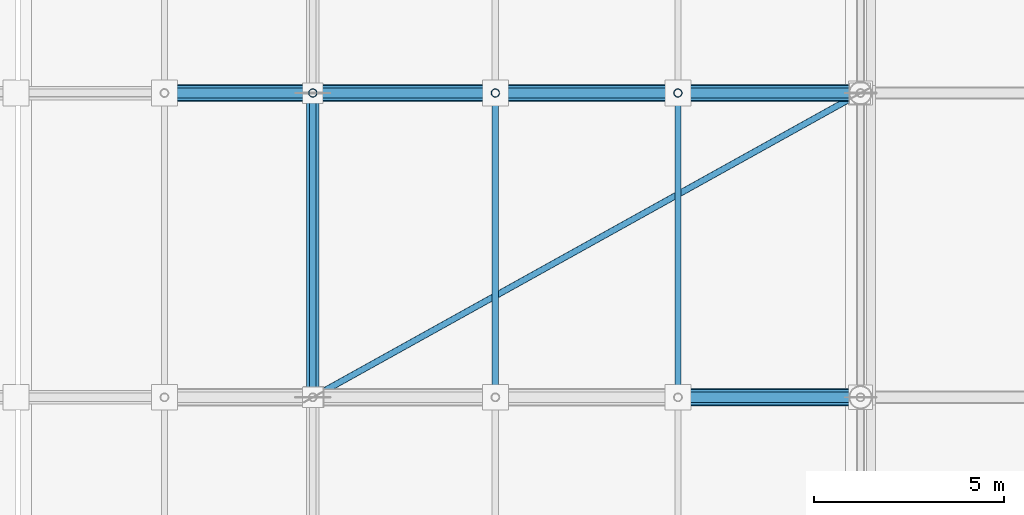
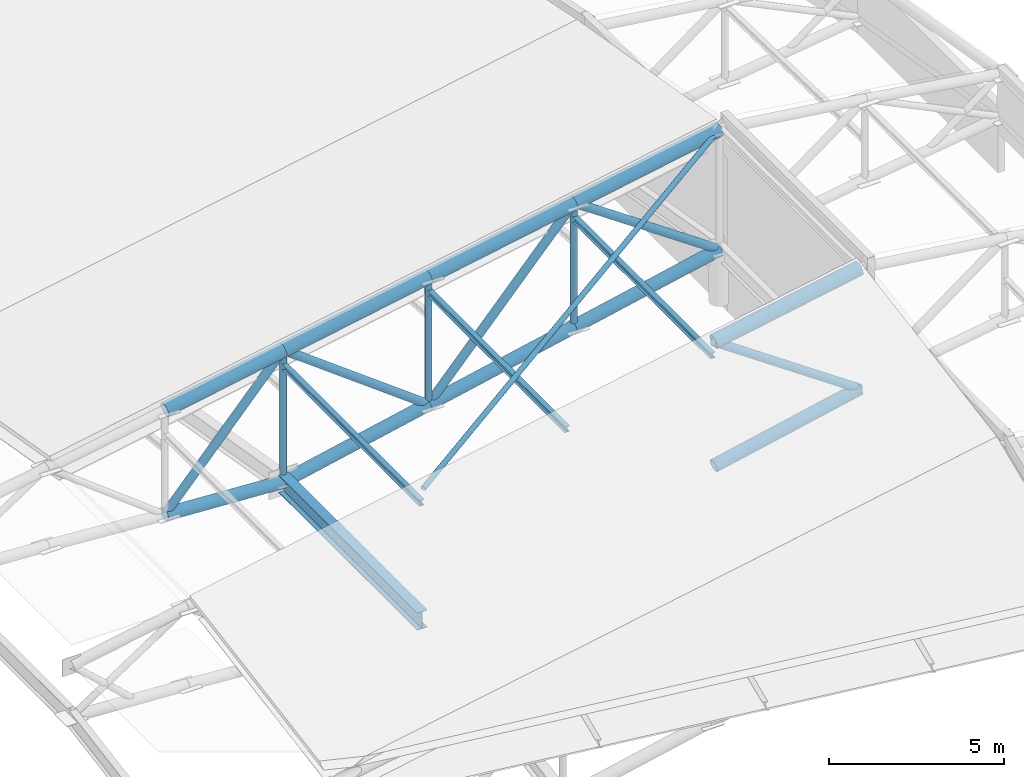
# One storey, part 74 of 146: 22 members, 1 beam.
"""IFC4 building model written with IfcOpenShell, lengths in metres."""

from ifc_helpers import new_model, si_unit, direction, frame, origin, origin_2d, place, context, subcontext, project, spatial, hollow_circle, i_section, extrude, material, material_profile, profile_set, type_object, element, save


model = new_model("IFC4")

# Units and contexts
model_context = context("Model", 3, precision=1e-05, world=origin(), true_north=direction((0.0, 1.0)))
body_context = subcontext(model_context, "Body", "Model", "MODEL_VIEW")
ifc_project = project(units=[si_unit("LENGTHUNIT", "METRE"), si_unit("AREAUNIT", "SQUARE_METRE"), si_unit("VOLUMEUNIT", "CUBIC_METRE"), si_unit("PLANEANGLEUNIT", "RADIAN"), si_unit("MASSUNIT", "GRAM", prefix="KILO")], contexts=[model_context])

# Site, building, storey
site_placement = place(None, origin())
site = spatial("IfcSite", under=ifc_project, at=site_placement, CompositionType="ELEMENT")
building_placement = place(site_placement, origin())
building = spatial("IfcBuilding", under=site, at=building_placement, Name="Candeia Ridge Stadium", CompositionType="ELEMENT")
storey_placement = place(building_placement, frame((0.0, 0.0, 31.800048828125)))
storey = spatial("IfcBuildingStorey", under=building, at=storey_placement, Name="RF", CompositionType="ELEMENT", Elevation=31.800048828125)

# Beam
ifc_material = material(Name="Steel ASTM A572 Grade 50", Category="steel")
ifc_material_profile_1 = material_profile(ifc_material, i_section(OverallWidth=0.324951171875, OverallDepth=0.615966796875, WebThickness=0.013916015625, FlangeThickness=0.021484375, FilletRadius=0.014892578125, at=origin_2d()), Name="W610x174", Category="steel")
ifc_profile_set_1 = profile_set([ifc_material_profile_1], Name="Steel ASTM A572 Grade 50")
beam_type = type_object("IfcBeamType", Name="Roof Compression Ring Beam W610x174", PredefinedType="BEAM", material=ifc_profile_set_1)
beam_placement = place(storey_placement, frame((178.60009765625, 79.0400390625, -1.278564453125), z_axis=(0.0, 1.0, 0.0), x_axis=(-1.0, 0.0, 0.0)))
element("IfcBeam", 1, at=beam_placement, inside=storey, type_object=beam_type, Name="Roof compression ring beam bay 31", PredefinedType="BEAM", context=body_context, shape_type="SweptSolid", body=[
    extrude(i_section(OverallWidth=0.324951171875, OverallDepth=0.615966796875, WebThickness=0.013916015625, FlangeThickness=0.021484375, FilletRadius=0.014892578125, at=origin_2d()), origin(), (0.0, 0.0, 1.0), 7.919921875),
])

# Members
ifc_material_profile_2 = material_profile(ifc_material, hollow_circle(Radius=0.084228515625, WallThickness=0.008056640625, at=origin_2d()), Name="CHS168x8", Category="steel")
ifc_profile_set_2 = profile_set([ifc_material_profile_2], Name="Steel ASTM A572 Grade 50")
member_type_1 = type_object("IfcMemberType", Name="Roof Plan Wind Brace CHS168x8", PredefinedType="BRACE", material=ifc_profile_set_2)
member_1_placement = place(storey_placement, frame((178.6171875, 79.009521484375, 3.32470703125), z_axis=(0.862941558777, 0.479420124682, 0.159650274619), x_axis=(-0.485649238044, 0.874153772278, 0.0)))
element("IfcMember", 2, at=member_1_placement, inside=storey, type_object=member_type_1, Name="Roof plane wind brace bay 31", PredefinedType="BRACE", context=body_context, shape_type="SweptSolid", body=[
    extrude(hollow_circle(Radius=0.084228515625, WallThickness=0.008056640625, at=origin_2d()), origin(), (0.0, 0.0, 1.0), 16.647216796875),
])
ifc_material_profile_3 = material_profile(ifc_material, i_section(OverallWidth=0.1650390625, OverallDepth=0.200927734375, WebThickness=0.006103515625, FlangeThickness=0.01025390625, FilletRadius=0.010009765625, at=origin_2d()), Name="W200x35.9", Category="steel")
ifc_profile_set_3 = profile_set([ifc_material_profile_3], Name="Steel ASTM A572 Grade 50")
member_type_2 = type_object("IfcMemberType", Name="Roof Purlin W200x35.9", PredefinedType="PURLIN", material=ifc_profile_set_3)
for number, where, z_axis, x_axis, name in (
    (3, (178.60009765625, 79.050048828125, 2.801513671875), (0.0, 1.0, 0.0), (-1.0, 0.0, 0.0), "Saddle roof steel purlin bay 31-2"),
    (4, (183.39990234375, 79.050048828125, 3.689453125), (0.0, 1.0, 0.0), (-1.0, 0.0, 0.0), "Saddle roof steel purlin bay 31-3"),
    (5, (188.199951171875, 79.050048828125, 4.57763671875), (0.0, 1.0, 0.0), (-1.0, 0.0, 0.0), "Saddle roof steel purlin bay 31-4"),
):
    element("IfcMember", number, at=place(storey_placement, frame(where, z_axis=z_axis, x_axis=x_axis)), inside=storey, type_object=member_type_2, Name=name, PredefinedType="PURLIN", context=body_context, shape_type="SweptSolid", body=[
        extrude(i_section(OverallWidth=0.1650390625, OverallDepth=0.200927734375, WebThickness=0.006103515625, FlangeThickness=0.01025390625, FilletRadius=0.010009765625, at=origin_2d()), origin(), (0.0, 0.0, 1.0), 7.89990234375),
    ])
ifc_material_profile_4 = material_profile(ifc_material, hollow_circle(Radius=0.136474609375, WallThickness=0.010009765625, at=origin_2d()), Name="CHS273x10", Category="steel")
ifc_profile_set_4 = profile_set([ifc_material_profile_4], Name="Steel ASTM A572 Grade 50")
member_type_3 = type_object("IfcMemberType", Name="Roof Truss Heavy Web Brace CHS273x10", PredefinedType="BRACE", material=ifc_profile_set_4)
member_2_placement = place(storey_placement, frame((188.199951171875, 79.0, 5.09765625), z_axis=(0.823081876777, 0.0, -0.567922727245), x_axis=(0.0, 1.0, 0.0)))
element("IfcMember", 6, at=member_2_placement, inside=storey, type_object=member_type_3, Name="Roof cantilever truss RT-31 diagonal web 6", PredefinedType="BRACE", context=body_context, shape_type="SweptSolid", body=[
    extrude(hollow_circle(Radius=0.136474609375, WallThickness=0.010009765625, at=origin_2d()), origin(), (0.0, 0.0, 1.0), 5.831787109375),
])
member_3_placement = place(storey_placement, frame((174.699951171875, 87.0, -1.05859375), z_axis=(0.665001791652, 0.0, 0.746841761754), x_axis=(0.0, 1.0, 0.0)))
element("IfcMember", 7, at=member_3_placement, inside=storey, type_object=member_type_3, Name="Roof cantilever truss RT-32 diagonal web 3", PredefinedType="BRACE", context=body_context, shape_type="SweptSolid", body=[
    extrude(hollow_circle(Radius=0.136474609375, WallThickness=0.010009765625, at=origin_2d()), origin(), (0.0, 0.0, 1.0), 5.86474609375),
])
member_4_placement = place(storey_placement, frame((178.60009765625, 87.0, 3.321533203125), z_axis=(0.801699676117, 0.0, -0.597727052519), x_axis=(0.0, 1.0, 0.0)))
element("IfcMember", 8, at=member_4_placement, inside=storey, type_object=member_type_3, Name="Roof cantilever truss RT-32 diagonal web 4", PredefinedType="BRACE", context=body_context, shape_type="SweptSolid", body=[
    extrude(hollow_circle(Radius=0.136474609375, WallThickness=0.010009765625, at=origin_2d()), origin(), (0.0, 0.0, 1.0), 5.987060546875),
])
member_5_placement = place(storey_placement, frame((183.39990234375, 87.0, -0.257080078125), z_axis=(0.667487252066, 0.0, 0.744621224737), x_axis=(0.0, 1.0, 0.0)))
element("IfcMember", 9, at=member_5_placement, inside=storey, type_object=member_type_3, Name="Roof cantilever truss RT-32 diagonal web 5", PredefinedType="BRACE", context=body_context, shape_type="SweptSolid", body=[
    extrude(hollow_circle(Radius=0.136474609375, WallThickness=0.010009765625, at=origin_2d()), origin(), (0.0, 0.0, 1.0), 7.191162109375),
])
member_6_placement = place(storey_placement, frame((188.199951171875, 87.0, 5.09765625), z_axis=(0.823081876777, 0.0, -0.567922727245), x_axis=(0.0, 1.0, 0.0)))
element("IfcMember", 10, at=member_6_placement, inside=storey, type_object=member_type_3, Name="Roof cantilever truss RT-32 diagonal web 6", PredefinedType="BRACE", context=body_context, shape_type="SweptSolid", body=[
    extrude(hollow_circle(Radius=0.136474609375, WallThickness=0.010009765625, at=origin_2d()), origin(), (0.0, 0.0, 1.0), 5.831787109375),
])
ifc_material_profile_5 = material_profile(ifc_material, hollow_circle(Radius=0.109619140625, WallThickness=0.010009765625, at=origin_2d()), Name="CHS219x10", Category="steel")
ifc_profile_set_5 = profile_set([ifc_material_profile_5], Name="Steel ASTM A572 Grade 50")
member_type_4 = type_object("IfcMemberType", Name="Roof Truss Inner Web Brace CHS219x10", PredefinedType="BRACE", material=ifc_profile_set_5)
member_7_placement = place(storey_placement, frame((178.60009765625, 87.0, -1.278564453125), z_axis=(0.0, 0.0, 1.0), x_axis=(1.0, 0.0, 0.0)))
element("IfcMember", 11, at=member_7_placement, inside=storey, type_object=member_type_4, Name="Roof cantilever truss RT-32 vertical post 3", PredefinedType="BRACE", context=body_context, shape_type="SweptSolid", body=[
    extrude(hollow_circle(Radius=0.109619140625, WallThickness=0.010009765625, at=origin_2d()), origin(), (0.0, 0.0, 1.0), 4.60009765625),
])
member_8_placement = place(storey_placement, frame((183.39990234375, 87.0, -0.257080078125), z_axis=(0.0, 0.0, 1.0), x_axis=(1.0, 0.0, 0.0)))
element("IfcMember", 12, at=member_8_placement, inside=storey, type_object=member_type_4, Name="Roof cantilever truss RT-32 vertical post 4", PredefinedType="BRACE", context=body_context, shape_type="SweptSolid", body=[
    extrude(hollow_circle(Radius=0.109619140625, WallThickness=0.010009765625, at=origin_2d()), origin(), (0.0, 0.0, 1.0), 4.466552734375),
])
member_9_placement = place(storey_placement, frame((188.199951171875, 87.0, 0.76416015625), z_axis=(0.0, 0.0, 1.0), x_axis=(1.0, 0.0, 0.0)))
element("IfcMember", 13, at=member_9_placement, inside=storey, type_object=member_type_4, Name="Roof cantilever truss RT-32 vertical post 5", PredefinedType="BRACE", context=body_context, shape_type="SweptSolid", body=[
    extrude(hollow_circle(Radius=0.109619140625, WallThickness=0.010009765625, at=origin_2d()), origin(), (0.0, 0.0, 1.0), 4.33349609375),
])
ifc_material_profile_6 = material_profile(ifc_material, hollow_circle(Radius=0.228515625, WallThickness=0.02001953125, at=origin_2d()), Name="CHS457x20", Category="steel")
ifc_profile_set_6 = profile_set([ifc_material_profile_6], Name="Steel ASTM A572 Grade 50")
member_type_5 = type_object("IfcMemberType", Name="Roof Truss Main Chord CHS457x20", PredefinedType="CHORD", material=ifc_profile_set_6)
member_10_placement = place(storey_placement, frame((188.199951171875, 79.0, 5.09765625), z_axis=(0.983317142098, 0.0, 0.181899417416), x_axis=(0.0, 1.0, 0.0)))
element("IfcMember", 14, at=member_10_placement, inside=storey, type_object=member_type_5, Name="Roof cantilever truss RT-31 top chord 6", PredefinedType="CHORD", context=body_context, shape_type="SweptSolid", body=[
    extrude(hollow_circle(Radius=0.228515625, WallThickness=0.02001953125, at=origin_2d()), origin(), (0.0, 0.0, 1.0), 4.881591796875),
])
member_11_placement = place(storey_placement, frame((174.699951171875, 87.0, 2.60009765625), z_axis=(0.983318721205, 0.0, 0.181890880824), x_axis=(0.0, 1.0, 0.0)))
element("IfcMember", 15, at=member_11_placement, inside=storey, type_object=member_type_5, Name="Roof cantilever truss RT-32 top chord 3", PredefinedType="CHORD", context=body_context, shape_type="SweptSolid", body=[
    extrude(hollow_circle(Radius=0.228515625, WallThickness=0.02001953125, at=origin_2d()), origin(), (0.0, 0.0, 1.0), 3.96630859375),
])
member_12_placement = place(storey_placement, frame((178.60009765625, 87.0, 3.321533203125), z_axis=(0.983315487156, 0.0, 0.181908363519), x_axis=(0.0, 1.0, 0.0)))
element("IfcMember", 16, at=member_12_placement, inside=storey, type_object=member_type_5, Name="Roof cantilever truss RT-32 top chord 4", PredefinedType="CHORD", context=body_context, shape_type="SweptSolid", body=[
    extrude(hollow_circle(Radius=0.228515625, WallThickness=0.02001953125, at=origin_2d()), origin(), (0.0, 0.0, 1.0), 4.88134765625),
])
for number, where, z_axis, x_axis, name in (
    (17, (183.39990234375, 87.0, 4.20947265625), (0.983308195319, 0.0, 0.181947775524), (0.0, 1.0, 0.0), "Roof cantilever truss RT-32 top chord 5"),
    (18, (188.199951171875, 87.0, 5.09765625), (0.983317142098, 0.0, 0.181899417416), (0.0, 1.0, 0.0), "Roof cantilever truss RT-32 top chord 6"),
):
    element("IfcMember", number, at=place(storey_placement, frame(where, z_axis=z_axis, x_axis=x_axis)), inside=storey, type_object=member_type_5, Name=name, PredefinedType="CHORD", context=body_context, shape_type="SweptSolid", body=[
        extrude(hollow_circle(Radius=0.228515625, WallThickness=0.02001953125, at=origin_2d()), origin(), (0.0, 0.0, 1.0), 4.881591796875),
    ])
ifc_material_profile_7 = material_profile(ifc_material, hollow_circle(Radius=0.202880859375, WallThickness=0.01611328125, at=origin_2d()), Name="CHS406x16", Category="steel")
ifc_profile_set_7 = profile_set([ifc_material_profile_7], Name="Steel ASTM A572 Grade 50")
member_type_6 = type_object("IfcMemberType", Name="Roof Truss Outer Chord CHS406x16", PredefinedType="CHORD", material=ifc_profile_set_7)
member_13_placement = place(storey_placement, frame((188.199951171875, 79.0, 0.76416015625), z_axis=(0.978097741011, 0.0, 0.208146124225), x_axis=(0.0, 1.0, 0.0)))
element("IfcMember", 19, at=member_13_placement, inside=storey, type_object=member_type_6, Name="Roof cantilever truss RT-31 bottom chord 6", PredefinedType="CHORD", context=body_context, shape_type="SweptSolid", body=[
    extrude(hollow_circle(Radius=0.202880859375, WallThickness=0.01611328125, at=origin_2d()), origin(), (0.0, 0.0, 1.0), 4.907470703125),
])
member_14_placement = place(storey_placement, frame((174.699951171875, 87.0, -1.05859375), z_axis=(0.998413269272, 0.0, -0.056311133372), x_axis=(0.0, 1.0, 0.0)))
element("IfcMember", 20, at=member_14_placement, inside=storey, type_object=member_type_6, Name="Roof cantilever truss RT-32 bottom chord 3", PredefinedType="CHORD", context=body_context, shape_type="SweptSolid", body=[
    extrude(hollow_circle(Radius=0.202880859375, WallThickness=0.01611328125, at=origin_2d()), origin(), (0.0, 0.0, 1.0), 3.90625),
])
member_15_placement = place(storey_placement, frame((178.60009765625, 87.0, -1.278564453125), z_axis=(0.978095585526, 0.0, 0.208156252789), x_axis=(0.0, 1.0, 0.0)))
element("IfcMember", 21, at=member_15_placement, inside=storey, type_object=member_type_6, Name="Roof cantilever truss RT-32 bottom chord 4", PredefinedType="CHORD", context=body_context, shape_type="SweptSolid", body=[
    extrude(hollow_circle(Radius=0.202880859375, WallThickness=0.01611328125, at=origin_2d()), origin(), (0.0, 0.0, 1.0), 4.9072265625),
])
for number, where, z_axis, x_axis, name in (
    (22, (183.39990234375, 87.0, -0.257080078125), (0.97810786804, 0.0, 0.208098530696), (0.0, 1.0, 0.0), "Roof cantilever truss RT-32 bottom chord 5"),
    (23, (188.199951171875, 87.0, 0.76416015625), (0.978097741011, 0.0, 0.208146124225), (0.0, 1.0, 0.0), "Roof cantilever truss RT-32 bottom chord 6"),
):
    element("IfcMember", number, at=place(storey_placement, frame(where, z_axis=z_axis, x_axis=x_axis)), inside=storey, type_object=member_type_6, Name=name, PredefinedType="CHORD", context=body_context, shape_type="SweptSolid", body=[
        extrude(hollow_circle(Radius=0.202880859375, WallThickness=0.01611328125, at=origin_2d()), origin(), (0.0, 0.0, 1.0), 4.907470703125),
    ])

save(model, "model.ifc")
